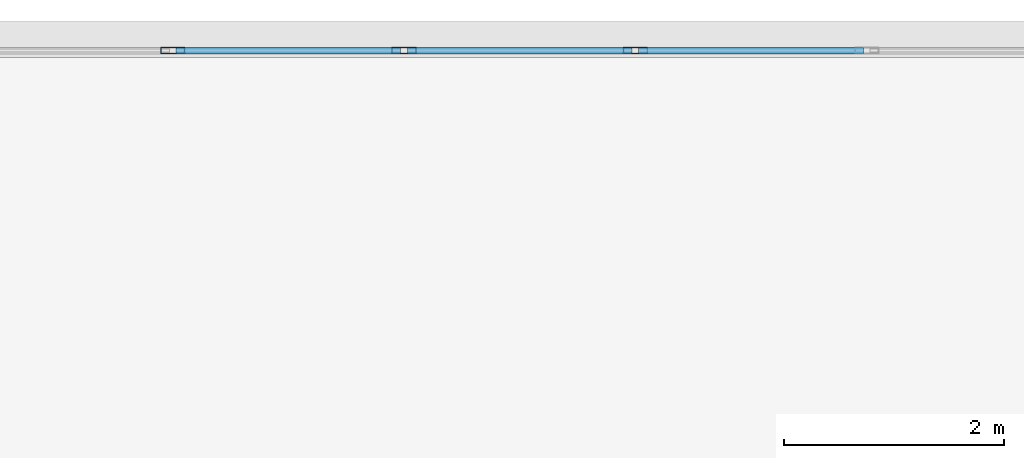
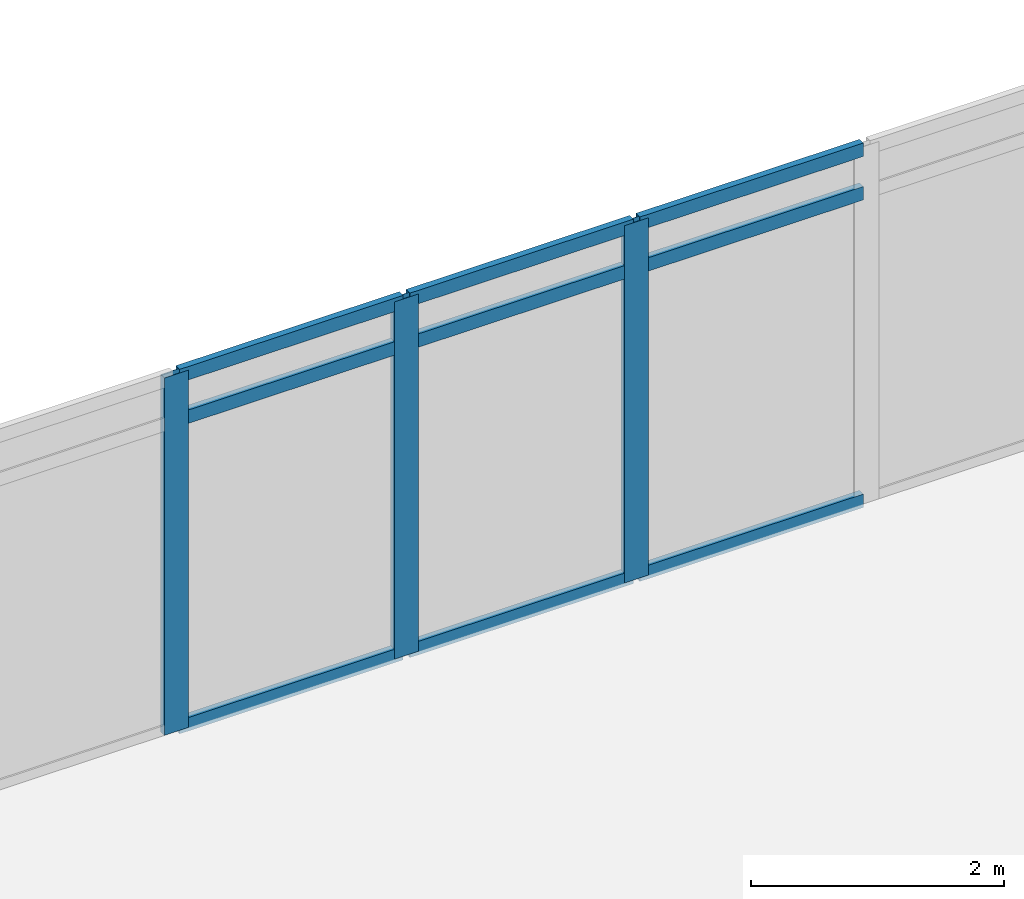
# One storey, part 15 of 28: 12 members, 1 element without a shape of its own.
"""IFC4 building model written with IfcOpenShell, lengths in metres."""

import ifcopenshell
import ifcopenshell.guid

model = None  # the IFC model being written
_history = None  # IfcOwnerHistory: only IFC2X3 demands one
_inside = {}  # id of a spatial element -> (the spatial element, [elements in it])
_under = {}  # id of a project, library or spatial element -> (it, [spatial elements below it])
_declared = {}  # id of a project -> (the project, [libraries it declares])
_typed = {}  # id of a type object -> (the type object, [elements of that type])
_made_of = {}  # id of a material, layer set ... -> (it, [elements and type objects made of it])


def new_model(schema):
    """Start an empty IFC model of exactly this schema.

    Asked for "IFC4X3", IfcOpenShell would pick the latest addendum, in which some entities
    have other attributes; the version numbers below select the first issue.
    IFC2X3 requires an IfcOwnerHistory on every rooted entity: one is made here for all.
    """
    global model, _history
    if schema == "IFC4X3":
        model = ifcopenshell.file(schema_version=(4, 3, 0, 0))
    else:
        model = ifcopenshell.file(schema=schema)
    _inside.clear()
    _under.clear()
    _declared.clear()
    _typed.clear()
    _made_of.clear()
    _history = None
    if model.schema == "IFC2X3":
        org = make("IfcOrganization", Name="unknown")
        user = make(
            "IfcPersonAndOrganization",
            ThePerson=make("IfcPerson", FamilyName="unknown"),
            TheOrganization=org,
        )
        app = make(
            "IfcApplication",
            ApplicationDeveloper=org,
            Version="unknown",
            ApplicationFullName="unknown",
            ApplicationIdentifier="unknown",
        )
        _history = make(
            "IfcOwnerHistory",
            OwningUser=user,
            OwningApplication=app,
            ChangeAction="ADDED",
            CreationDate=0,
        )
    return model


def make(cls, **values):
    """One entity of the class cls with the attributes given. An attribute that is None is left unset."""
    return model.create_entity(
        cls, **{name: value for name, value in values.items() if value is not None}
    )


def rooted(cls, **values):
    """An entity with a GlobalId (a new one), such as an element, a storey or a relation."""
    return make(cls, GlobalId=ifcopenshell.guid.new(), OwnerHistory=_history, **values)


def si_unit(unit_type, name, prefix=None):
    """IfcSIUnit, for example si_unit("LENGTHUNIT", "METRE", prefix="MILLI")."""
    return make("IfcSIUnit", UnitType=unit_type, Prefix=prefix, Name=name)


def assignment(units):
    """IfcUnitAssignment: the units of a project."""
    return None if units is None else make("IfcUnitAssignment", Units=units)


def point(xyz):
    """IfcCartesianPoint."""
    return None if xyz is None else make("IfcCartesianPoint", Coordinates=xyz)


def direction(xyz):
    """IfcDirection."""
    return None if xyz is None else make("IfcDirection", DirectionRatios=xyz)


def frame(location, z_axis=None, x_axis=None):
    """IfcAxis2Placement3D, a coordinate frame: its origin and axes. An axis left out is left unset."""
    return make(
        "IfcAxis2Placement3D",
        Location=point(location),
        Axis=direction(z_axis),
        RefDirection=direction(x_axis),
    )


def frame_2d(location, x_axis=None):
    """IfcAxis2Placement2D, a coordinate frame in the plane: its origin and x axis."""
    return make(
        "IfcAxis2Placement2D", Location=point(location), RefDirection=direction(x_axis)
    )


def origin():
    """The frame at (0, 0, 0) with its axes left unset."""
    return frame((0.0, 0.0, 0.0))


def origin_2d():
    """The frame at (0, 0) in the plane with its x axis left unset."""
    return frame_2d((0.0, 0.0))


def place(relative_to, where):
    """IfcLocalPlacement: puts the frame where relative to a parent placement (None: the world)."""
    return make(
        "IfcLocalPlacement", PlacementRelTo=relative_to, RelativePlacement=where
    )


def context(
    kind, dimensions, precision=None, world=None, true_north=None, identifier=None
):
    """IfcGeometricRepresentationContext, for example the 3D "Model" context."""
    return make(
        "IfcGeometricRepresentationContext",
        ContextIdentifier=identifier,
        ContextType=kind,
        CoordinateSpaceDimension=dimensions,
        Precision=precision,
        WorldCoordinateSystem=world,
        TrueNorth=true_north,
    )


def subcontext(parent, identifier, kind, view, scale=None):
    """IfcGeometricRepresentationSubContext, for example "Body" below "Model"."""
    return make(
        "IfcGeometricRepresentationSubContext",
        ContextIdentifier=identifier,
        ContextType=kind,
        ParentContext=parent,
        TargetScale=scale,
        TargetView=view,
    )


def project(units=None, contexts=None):
    """IfcProject with its units and contexts."""
    return rooted(
        "IfcProject",
        Name="project",
        RepresentationContexts=contexts,
        UnitsInContext=assignment(units),
    )


def spatial(cls, under=None, at=None, **own):
    """A site, building, storey or space (cls), placed at a placement, below another one or the project."""
    s = rooted(cls, ObjectPlacement=at, **own)
    if under is not None:
        _under.setdefault(under.id(), (under, []))[1].append(s)
    return s


def profile(cls, at=None, kind="AREA", **sizes):
    """A parametric profile (cls). Its sizes go by their IFC names, for example OverallWidth=200.0."""
    return make(cls, ProfileType=kind, Position=at, **sizes)


def hollow_rectangle(**sizes):
    """IfcRectangleHollowProfileDef."""
    return profile("IfcRectangleHollowProfileDef", **sizes)


def extrude(swept, where, along, depth):
    """IfcExtrudedAreaSolid: the profile swept, set in the frame where, extruded along a direction by depth."""
    return make(
        "IfcExtrudedAreaSolid",
        SweptArea=swept,
        Position=where,
        ExtrudedDirection=direction(along),
        Depth=depth,
    )


def shape(context_of_items, identifier, shape_type, items):
    """IfcShapeRepresentation: the items that make up one representation, for example the "Body"."""
    return make(
        "IfcShapeRepresentation",
        ContextOfItems=context_of_items,
        RepresentationIdentifier=identifier,
        RepresentationType=shape_type,
        Items=items,
    )


def material(Name=None, Category=None):
    """IfcMaterial."""
    return make("IfcMaterial", Name=Name, Category=Category)


def material_profile(
    of_material, cross_section, Name=None, Category=None, Priority=None
):
    """IfcMaterialProfile: a cross section and its material."""
    return make(
        "IfcMaterialProfile",
        Name=Name,
        Material=of_material,
        Profile=cross_section,
        Priority=Priority,
        Category=Category,
    )


def profile_set(profiles, Name=None, composite=None):
    """IfcMaterialProfileSet."""
    return make(
        "IfcMaterialProfileSet",
        Name=Name,
        MaterialProfiles=profiles,
        CompositeProfile=composite,
    )


def made_of(thing, what):
    """Note that an element or type object is made of a material, layer set ...; save() writes the relation."""
    if what is not None:
        _made_of.setdefault(what.id(), (what, []))[1].append(thing)
    return thing


def type_object(cls, material=None, **own):
    """A type object (cls), such as IfcWallType, which elements share."""
    return made_of(rooted(cls, **own), material)


def element(
    cls,
    number,
    at=None,
    inside=None,
    cuts=None,
    type_object=None,
    material=None,
    context=None,
    identifier="Body",
    shape_type=None,
    held_by="IfcProductDefinitionShape",
    body=None,
    shapes=None,
    **own,
):
    """One element of the class cls, such as IfcWall. Its Tag is "e" and its number.

    at: its placement. inside: the storey or other place that contains it. cuts: it is an
    opening in that element (IfcRelVoidsElement). A single representation is given by context,
    identifier, shape_type and body (its items); several are given by shapes. held_by: the class
    of the entity that holds the representations. save() writes the other relations.
    """
    e = rooted(cls, Tag="e%d" % number, ObjectPlacement=at, **own)
    if body is not None:
        shapes = [shape(context, identifier, shape_type, body)]
    if shapes is not None:
        e.Representation = make(held_by, Representations=shapes)
    if inside is not None:
        _inside.setdefault(inside.id(), (inside, []))[1].append(e)
    if cuts is not None:
        rooted(
            "IfcRelVoidsElement", RelatingBuildingElement=cuts, RelatedOpeningElement=e
        )
    if type_object is not None:
        _typed.setdefault(type_object.id(), (type_object, []))[1].append(e)
    return made_of(e, material)


def aggregate(whole, parts):
    """IfcRelAggregates: a whole, such as a stair, and the parts it consists of."""
    return rooted("IfcRelAggregates", RelatingObject=whole, RelatedObjects=parts)


def save(model, path):
    """Write the relations noted so far, then the file.

    IfcRelAggregates (storeys below a building ...), IfcRelContainedInSpatialStructure (elements
    in a storey), IfcRelDefinesByType, IfcRelAssociatesMaterial and IfcRelDeclares: one each for
    every whole, place, type object, material and project.
    """
    for whole, parts in _under.values():
        aggregate(whole, parts)
    for where, things in _inside.values():
        rooted(
            "IfcRelContainedInSpatialStructure",
            RelatedElements=things,
            RelatingStructure=where,
        )
    for kind, things in _typed.values():
        rooted("IfcRelDefinesByType", RelatedObjects=things, RelatingType=kind)
    for what, things in _made_of.values():
        rooted("IfcRelAssociatesMaterial", RelatedObjects=things, RelatingMaterial=what)
    for by, libraries in _declared.values():
        rooted("IfcRelDeclares", RelatingContext=by, RelatedDefinitions=libraries)
    model.write(path)


model = new_model("IFC4")

# Units and contexts
model_context = context("Model", 3, precision=1e-05, world=origin(), true_north=direction((0.0, 1.0)))
body_context = subcontext(model_context, "Body", "Model", "MODEL_VIEW")
ifc_project = project(units=[si_unit("LENGTHUNIT", "METRE"), si_unit("AREAUNIT", "SQUARE_METRE"), si_unit("VOLUMEUNIT", "CUBIC_METRE"), si_unit("PLANEANGLEUNIT", "RADIAN"), si_unit("MASSUNIT", "GRAM", prefix="KILO")], contexts=[model_context])

# Site, building, storey
site_placement = place(None, origin())
site = spatial("IfcSite", under=ifc_project, at=site_placement, CompositionType="ELEMENT")
building_placement = place(site_placement, origin())
building = spatial("IfcBuilding", under=site, at=building_placement, Name="Ostrander Bayou Hotel Tower", CompositionType="ELEMENT")
storey_placement = place(building_placement, frame((0.0, 0.0, 76.75)))
storey = spatial("IfcBuildingStorey", under=building, at=storey_placement, Name="L19", CompositionType="ELEMENT", Elevation=76.75)

# Curtain wall, members
ifc_material_1 = material(Name="Aluminium and clear glass", Category="aluminium")
curtain_wall_type = type_object("IfcCurtainWallType", Name="CW-BAR glazed wall", PredefinedType="NOTDEFINED", material=ifc_material_1)
curtain_wall_placement = place(storey_placement, origin())
curtain_wall = element("IfcCurtainWall", 1, at=curtain_wall_placement, inside=storey, type_object=curtain_wall_type, Name="CW-BAR L19:SB1N:T", PredefinedType="NOTDEFINED")
ifc_material_2 = material(Name="Aluminium", Category="aluminium")
ifc_material_profile_1 = material_profile(ifc_material_2, hollow_rectangle(XDim=0.06005859375, YDim=0.219970703125, WallThickness=0.00390625, at=origin_2d()))
ifc_profile_set_1 = profile_set([ifc_material_profile_1], Name="Aluminium")
member_type_1 = type_object("IfcMemberType", Name="CW-BR mullion 60 x 220 mm", PredefinedType="MULLION", material=ifc_profile_set_1)
member_1_placement = place(storey_placement, frame((-6.30517578125, 30.88623046875, 0.0), z_axis=(0.0, 0.0, 1.0), x_axis=(0.0, 1.0, 0.0)))
member_1 = element("IfcMember", 2, at=member_1_placement, type_object=member_type_1, Name="CW-BAR mullion 5", PredefinedType="MULLION", context=body_context, shape_type="SweptSolid", body=[
    extrude(hollow_rectangle(XDim=0.06005859375, YDim=0.219970703125, WallThickness=0.00390625, at=origin_2d()), origin(), (0.0, 0.0, 1.0), 3.449951171875),
])
member_2_placement = place(storey_placement, frame((-4.203369140625, 30.88623046875, 0.0), z_axis=(0.0, 0.0, 1.0), x_axis=(0.0, 1.0, 0.0)))
member_2 = element("IfcMember", 3, at=member_2_placement, type_object=member_type_1, Name="CW-BAR mullion 6", PredefinedType="MULLION", context=body_context, shape_type="SweptSolid", body=[
    extrude(hollow_rectangle(XDim=0.06005859375, YDim=0.219970703125, WallThickness=0.00390625, at=origin_2d()), origin(), (0.0, 0.0, 1.0), 3.449951171875),
])
member_3_placement = place(storey_placement, frame((-2.101806640625, 30.88623046875, 0.0), z_axis=(0.0, 0.0, 1.0), x_axis=(0.0, 1.0, 0.0)))
member_3 = element("IfcMember", 4, at=member_3_placement, type_object=member_type_1, Name="CW-BAR mullion 7", PredefinedType="MULLION", context=body_context, shape_type="SweptSolid", body=[
    extrude(hollow_rectangle(XDim=0.06005859375, YDim=0.219970703125, WallThickness=0.00390625, at=origin_2d()), origin(), (0.0, 0.0, 1.0), 3.449951171875),
])
ifc_material_3 = material(Name="Aluminium", Category="aluminium")
ifc_material_profile_2 = material_profile(ifc_material_3, hollow_rectangle(XDim=0.06005859375, YDim=0.1298828125, WallThickness=0.00390625, at=origin_2d()))
ifc_profile_set_2 = profile_set([ifc_material_profile_2], Name="Aluminium")
member_type_2 = type_object("IfcMemberType", Name="CW-BR transom 60 x 130 mm", PredefinedType="USERDEFINED", material=ifc_profile_set_2)
member_4_placement = place(storey_placement, frame((-6.275146484375, 30.88623046875, 0.030029296875), z_axis=(1.0, 0.0, 0.0), x_axis=(0.0, 1.0, 0.0)))
member_4 = element("IfcMember", 5, at=member_4_placement, type_object=member_type_2, Name="CW-BAR transom 5.1", ObjectType="TRANSOM", PredefinedType="USERDEFINED", context=body_context, shape_type="SweptSolid", body=[
    extrude(hollow_rectangle(XDim=0.06005859375, YDim=0.1298828125, WallThickness=0.00390625, at=origin_2d()), origin(), (0.0, 0.0, 1.0), 2.041748046875),
])
member_5_placement = place(storey_placement, frame((-6.275146484375, 30.88623046875, 3.0), z_axis=(1.0, 0.0, 0.0), x_axis=(0.0, 1.0, 0.0)))
member_5 = element("IfcMember", 6, at=member_5_placement, type_object=member_type_2, Name="CW-BAR transom 5.2", ObjectType="TRANSOM", PredefinedType="USERDEFINED", context=body_context, shape_type="SweptSolid", body=[
    extrude(hollow_rectangle(XDim=0.06005859375, YDim=0.1298828125, WallThickness=0.00390625, at=origin_2d()), origin(), (0.0, 0.0, 1.0), 2.041748046875),
])
member_6_placement = place(storey_placement, frame((-6.275146484375, 30.88623046875, 3.419921875), z_axis=(1.0, 0.0, 0.0), x_axis=(0.0, 1.0, 0.0)))
member_6 = element("IfcMember", 7, at=member_6_placement, type_object=member_type_2, Name="CW-BAR transom 5.3", ObjectType="TRANSOM", PredefinedType="USERDEFINED", context=body_context, shape_type="SweptSolid", body=[
    extrude(hollow_rectangle(XDim=0.06005859375, YDim=0.1298828125, WallThickness=0.00390625, at=origin_2d()), origin(), (0.0, 0.0, 1.0), 2.041748046875),
])
member_7_placement = place(storey_placement, frame((-4.173583984375, 30.88623046875, 0.030029296875), z_axis=(1.0, 0.0, 0.0), x_axis=(0.0, 1.0, 0.0)))
member_7 = element("IfcMember", 8, at=member_7_placement, type_object=member_type_2, Name="CW-BAR transom 6.1", ObjectType="TRANSOM", PredefinedType="USERDEFINED", context=body_context, shape_type="SweptSolid", body=[
    extrude(hollow_rectangle(XDim=0.06005859375, YDim=0.1298828125, WallThickness=0.00390625, at=origin_2d()), origin(), (0.0, 0.0, 1.0), 2.041748046875),
])
member_8_placement = place(storey_placement, frame((-4.173583984375, 30.88623046875, 3.0), z_axis=(1.0, 0.0, 0.0), x_axis=(0.0, 1.0, 0.0)))
member_8 = element("IfcMember", 9, at=member_8_placement, type_object=member_type_2, Name="CW-BAR transom 6.2", ObjectType="TRANSOM", PredefinedType="USERDEFINED", context=body_context, shape_type="SweptSolid", body=[
    extrude(hollow_rectangle(XDim=0.06005859375, YDim=0.1298828125, WallThickness=0.00390625, at=origin_2d()), origin(), (0.0, 0.0, 1.0), 2.041748046875),
])
member_9_placement = place(storey_placement, frame((-4.173583984375, 30.88623046875, 3.419921875), z_axis=(1.0, 0.0, 0.0), x_axis=(0.0, 1.0, 0.0)))
member_9 = element("IfcMember", 10, at=member_9_placement, type_object=member_type_2, Name="CW-BAR transom 6.3", ObjectType="TRANSOM", PredefinedType="USERDEFINED", context=body_context, shape_type="SweptSolid", body=[
    extrude(hollow_rectangle(XDim=0.06005859375, YDim=0.1298828125, WallThickness=0.00390625, at=origin_2d()), origin(), (0.0, 0.0, 1.0), 2.041748046875),
])
member_10_placement = place(storey_placement, frame((-2.07177734375, 30.88623046875, 0.030029296875), z_axis=(1.0, 0.0, 0.0), x_axis=(0.0, 1.0, 0.0)))
member_10 = element("IfcMember", 11, at=member_10_placement, type_object=member_type_2, Name="CW-BAR transom 7.1", ObjectType="TRANSOM", PredefinedType="USERDEFINED", context=body_context, shape_type="SweptSolid", body=[
    extrude(hollow_rectangle(XDim=0.06005859375, YDim=0.1298828125, WallThickness=0.00390625, at=origin_2d()), origin(), (0.0, 0.0, 1.0), 2.041748046875),
])
member_11_placement = place(storey_placement, frame((-2.07177734375, 30.88623046875, 3.0), z_axis=(1.0, 0.0, 0.0), x_axis=(0.0, 1.0, 0.0)))
member_11 = element("IfcMember", 12, at=member_11_placement, type_object=member_type_2, Name="CW-BAR transom 7.2", ObjectType="TRANSOM", PredefinedType="USERDEFINED", context=body_context, shape_type="SweptSolid", body=[
    extrude(hollow_rectangle(XDim=0.06005859375, YDim=0.1298828125, WallThickness=0.00390625, at=origin_2d()), origin(), (0.0, 0.0, 1.0), 2.041748046875),
])
member_12_placement = place(storey_placement, frame((-2.07177734375, 30.88623046875, 3.419921875), z_axis=(1.0, 0.0, 0.0), x_axis=(0.0, 1.0, 0.0)))
member_12 = element("IfcMember", 13, at=member_12_placement, type_object=member_type_2, Name="CW-BAR transom 7.3", ObjectType="TRANSOM", PredefinedType="USERDEFINED", context=body_context, shape_type="SweptSolid", body=[
    extrude(hollow_rectangle(XDim=0.06005859375, YDim=0.1298828125, WallThickness=0.00390625, at=origin_2d()), origin(), (0.0, 0.0, 1.0), 2.041748046875),
])
aggregate(curtain_wall, [member_1, member_2, member_3, member_4, member_5, member_6, member_7, member_8, member_9, member_10, member_11, member_12])

save(model, "model.ifc")
